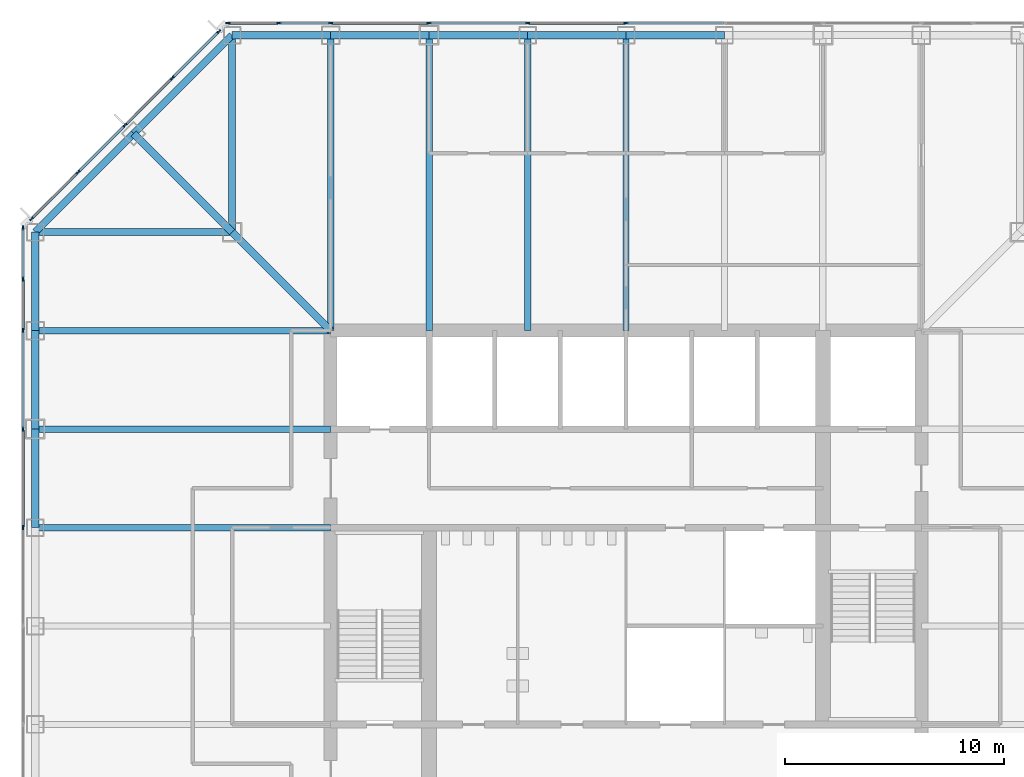
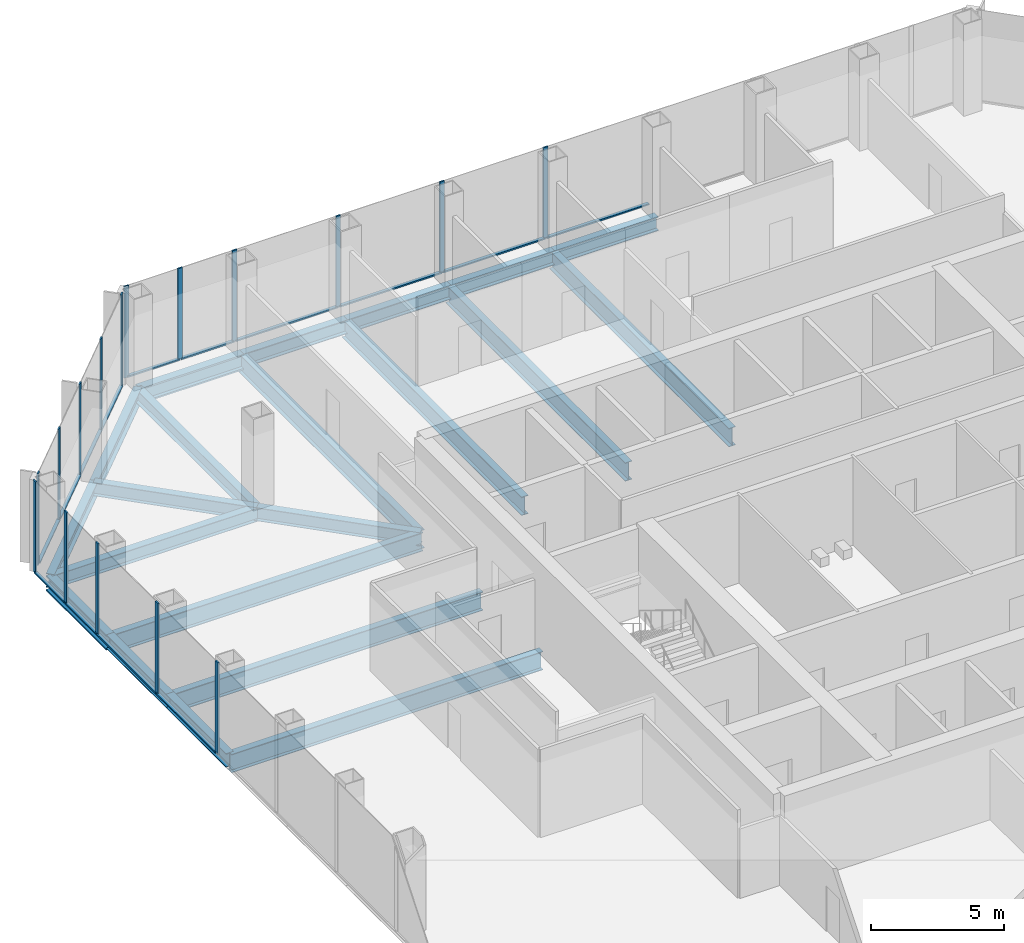
# One storey, part 5 of 13: 30 members, 21 beams, 3 elements without a shape of their own.
"""IFC4 building model written with IfcOpenShell, lengths in metres."""

from ifc_helpers import new_model, si_unit, direction, frame, origin, origin_2d, place, context, subcontext, project, spatial, rectangle, i_section, extrude, material, material_profile, profile_set, type_object, element, aggregate, save


model = new_model("IFC4")

# Units and contexts
model_context = context("Model", 3, precision=1e-05, world=origin(), true_north=direction((0.0, 1.0)))
body_context = subcontext(model_context, "Body", "Model", "MODEL_VIEW")
ifc_project = project(units=[si_unit("LENGTHUNIT", "METRE"), si_unit("AREAUNIT", "SQUARE_METRE"), si_unit("VOLUMEUNIT", "CUBIC_METRE"), si_unit("PLANEANGLEUNIT", "RADIAN"), si_unit("MASSUNIT", "GRAM", prefix="KILO")], contexts=[model_context])

# Site, building, storey
site_placement = place(None, origin())
site = spatial("IfcSite", under=ifc_project, at=site_placement, CompositionType="ELEMENT")
building_placement = place(site_placement, origin())
building = spatial("IfcBuilding", under=site, at=building_placement, Name="Corais Broadcast Tower", CompositionType="ELEMENT")
storey_placement = place(building_placement, frame((0.0, 0.0, 79.39990234375)))
storey = spatial("IfcBuildingStorey", under=building, at=storey_placement, Name="L17", CompositionType="ELEMENT", Elevation=79.39990234375)

# Beams
ifc_material_1 = material(Name="Steel ASTM A572 Grade 50", Category="steel")
ifc_material_profile_1 = material_profile(ifc_material_1, i_section(OverallWidth=0.323974609375, OverallDepth=0.611083984375, WebThickness=0.0126953125, FlangeThickness=0.01904296875, at=origin_2d()), Name="W610x155")
ifc_profile_set_1 = profile_set([ifc_material_profile_1], Name="Steel ASTM A572 Grade 50")
beam_type_1 = type_object("IfcBeamType", Name="Chamfer tie W610x155", PredefinedType="BEAM", material=ifc_profile_set_1)
beam_1_placement = place(storey_placement, frame((4.5, 49.5, -0.46533203125), z_axis=(0.707106781187, -0.707106781187, 0.0), x_axis=(0.707106781187, 0.707106781187, 0.0)))
element("IfcBeam", 1, at=beam_1_placement, inside=storey, type_object=beam_type_1, Name="B5 M/4 to L/5", PredefinedType="BEAM", context=body_context, shape_type="SweptSolid", body=[
    extrude(i_section(OverallWidth=0.323974609375, OverallDepth=0.611083984375, WebThickness=0.0126953125, FlangeThickness=0.01904296875, at=origin_2d()), origin(), (0.0, 0.0, 1.0), 6.364013671875),
])
ifc_material_2 = material(Name="Steel ASTM A572 Grade 50", Category="steel")
ifc_material_profile_2 = material_profile(ifc_material_2, i_section(OverallWidth=0.323974609375, OverallDepth=0.611083984375, WebThickness=0.0126953125, FlangeThickness=0.01904296875, at=origin_2d()), Name="W610x155")
ifc_profile_set_2 = profile_set([ifc_material_profile_2], Name="Steel ASTM A572 Grade 50")
beam_type_2 = type_object("IfcBeamType", Name="Corner diagonal W610x155", PredefinedType="BEAM", material=ifc_profile_set_2)
beam_2_placement = place(storey_placement, frame((9.0, 45.0, -0.46533203125), z_axis=(0.707106781187, -0.707106781187, 0.0), x_axis=(0.707106781187, 0.707106781187, 0.0)))
element("IfcBeam", 2, at=beam_2_placement, inside=storey, type_object=beam_type_2, Name="B6 L/5 to K/6", PredefinedType="BEAM", context=body_context, shape_type="SweptSolid", body=[
    extrude(i_section(OverallWidth=0.323974609375, OverallDepth=0.611083984375, WebThickness=0.0126953125, FlangeThickness=0.01904296875, at=origin_2d()), origin(), (0.0, 0.0, 1.0), 6.364013671875),
])
ifc_material_3 = material(Name="Steel ASTM A572 Grade 50", Category="steel")
ifc_material_profile_3 = material_profile(ifc_material_3, i_section(OverallWidth=0.323974609375, OverallDepth=0.611083984375, WebThickness=0.0126953125, FlangeThickness=0.01904296875, at=origin_2d()), Name="W610x155")
ifc_profile_set_3 = profile_set([ifc_material_profile_3], Name="Steel ASTM A572 Grade 50")
beam_type_3 = type_object("IfcBeamType", Name="Corner girder W610x155", PredefinedType="BEAM", material=ifc_profile_set_3)
for number, where, z_axis, x_axis, name in (
    (3, (0.0, 45.0, -0.46533203125), (1.0, 0.0, 0.0), (0.0, 1.0, 0.0), "B4 L/3 to L/5"),
    (4, (9.0, 54.0, -0.46533203125), (0.0, -1.0, 0.0), (1.0, 0.0, 0.0), "B4 N/5 to L/5"),
):
    element("IfcBeam", number, at=place(storey_placement, frame(where, z_axis=z_axis, x_axis=x_axis)), inside=storey, type_object=beam_type_3, Name=name, PredefinedType="BEAM", context=body_context, shape_type="SweptSolid", body=[
        extrude(i_section(OverallWidth=0.323974609375, OverallDepth=0.611083984375, WebThickness=0.0126953125, FlangeThickness=0.01904296875, at=origin_2d()), origin(), (0.0, 0.0, 1.0), 9.0),
    ])
ifc_material_4 = material(Name="Steel ASTM A913 Grade 65", Category="steel")
ifc_material_profile_4 = material_profile(ifc_material_4, i_section(OverallWidth=0.347900390625, OverallDepth=0.7109375, WebThickness=0.03857421875, FlangeThickness=0.069091796875, at=origin_2d()), Name="W610x551")
ifc_profile_set_4 = profile_set([ifc_material_profile_4], Name="Steel ASTM A913 Grade 65")
beam_type_4 = type_object("IfcBeamType", Name="Corner spandrel W610x551", PredefinedType="BEAM", material=ifc_profile_set_4)
for number, where, z_axis, x_axis, name in (
    (5, (0.0, 45.0, -0.515380859375), (0.0, -1.0, 0.0), (1.0, 0.0, 0.0), "SB11 L/3 to K/3"),
    (6, (13.5, 54.0, -0.515380859375), (-1.0, 0.0, 0.0), (0.0, -1.0, 0.0), "SB11 N/6 to N/5"),
):
    element("IfcBeam", number, at=place(storey_placement, frame(where, z_axis=z_axis, x_axis=x_axis)), inside=storey, type_object=beam_type_4, Name=name, PredefinedType="BEAM", context=body_context, shape_type="SweptSolid", body=[
        extrude(i_section(OverallWidth=0.347900390625, OverallDepth=0.7109375, WebThickness=0.03857421875, FlangeThickness=0.069091796875, at=origin_2d()), origin(), (0.0, 0.0, 1.0), 4.5),
    ])
ifc_material_5 = material(Name="Steel ASTM A572 Grade 50", Category="steel")
ifc_material_profile_5 = material_profile(ifc_material_5, i_section(OverallWidth=0.2939453125, OverallDepth=0.85107421875, WebThickness=0.01611328125, FlangeThickness=0.02685546875, at=origin_2d()), Name="W840x226")
ifc_profile_set_5 = profile_set([ifc_material_profile_5], Name="Steel ASTM A572 Grade 50")
beam_type_5 = type_object("IfcBeamType", Name="Floor beam W840x226", PredefinedType="BEAM", material=ifc_profile_set_5)
for number, where, z_axis, x_axis, name in (
    (7, (0.0, 31.5, -0.58544921875), (1.0, 0.0, 0.0), (0.0, 1.0, 0.0), "B1 H/3 to H/6"),
    (8, (0.0, 36.0, -0.58544921875), (1.0, 0.0, 0.0), (0.0, 1.0, 0.0), "B1 J/3 to J/6"),
    (9, (0.0, 40.5, -0.58544921875), (1.0, 0.0, 0.0), (0.0, 1.0, 0.0), "B1 K/3 to K/6"),
    (10, (13.5, 54.0, -0.58544921875), (0.0, -1.0, 0.0), (1.0, 0.0, 0.0), "B1 N/6 to K/6"),
    (11, (18.0, 54.0, -0.58544921875), (0.0, -1.0, 0.0), (1.0, 0.0, 0.0), "B1 N/7 to K/7"),
    (12, (22.5, 54.0, -0.58544921875), (0.0, -1.0, 0.0), (1.0, 0.0, 0.0), "B1 N/8 to K/8"),
    (13, (27.0, 54.0, -0.58544921875), (0.0, -1.0, 0.0), (1.0, 0.0, 0.0), "B1 N/9 to K/9"),
):
    element("IfcBeam", number, at=place(storey_placement, frame(where, z_axis=z_axis, x_axis=x_axis)), inside=storey, type_object=beam_type_5, Name=name, PredefinedType="BEAM", context=body_context, shape_type="SweptSolid", body=[
        extrude(i_section(OverallWidth=0.2939453125, OverallDepth=0.85107421875, WebThickness=0.01611328125, FlangeThickness=0.02685546875, at=origin_2d()), origin(), (0.0, 0.0, 1.0), 13.5),
    ])

# Curtain wall, members
ifc_material_6 = material(Name="Aluminium and glass", Category="aluminium")
curtain_wall_type = type_object("IfcCurtainWallType", Name="Unitised fritted curtain wall CW1", PredefinedType="NOTDEFINED", material=ifc_material_6)
curtain_wall_1_placement = place(storey_placement, origin())
curtain_wall_1 = element("IfcCurtainWall", 14, at=curtain_wall_1_placement, inside=storey, type_object=curtain_wall_type, Name="CW1 curtain wall L17 2", PredefinedType="NOTDEFINED")
ifc_material_7 = material(Name="Aluminium 6063-T6", Category="aluminium")
ifc_material_profile_6 = material_profile(ifc_material_7, rectangle(XDim=0.06494140625, YDim=0.199951171875, at=origin_2d()), Name="Mullion CW1 65x200")
ifc_profile_set_6 = profile_set([ifc_material_profile_6], Name="Aluminium 6063-T6")
member_type_1 = type_object("IfcMemberType", Name="Mullion CW1 65x200", PredefinedType="MULLION", material=ifc_profile_set_6)
member_1_placement = place(storey_placement, frame((-0.550048828125, 31.5, 0.0), z_axis=(0.0, 0.0, 1.0), x_axis=(-1.0, 0.0, 0.0)))
member_1 = element("IfcMember", 15, at=member_1_placement, type_object=member_type_1, Name="CW1 mullion 7", PredefinedType="MULLION", context=body_context, shape_type="SweptSolid", body=[
    extrude(rectangle(XDim=0.06494140625, YDim=0.199951171875, at=origin_2d()), origin(), (0.0, 0.0, 1.0), 4.2001953125),
])
member_2_placement = place(storey_placement, frame((-0.550048828125, 36.0, 0.0), z_axis=(0.0, 0.0, 1.0), x_axis=(-1.0, 0.0, 0.0)))
member_2 = element("IfcMember", 16, at=member_2_placement, type_object=member_type_1, Name="CW1 mullion 8", PredefinedType="MULLION", context=body_context, shape_type="SweptSolid", body=[
    extrude(rectangle(XDim=0.06494140625, YDim=0.199951171875, at=origin_2d()), origin(), (0.0, 0.0, 1.0), 4.2001953125),
])
member_3_placement = place(storey_placement, frame((-0.550048828125, 40.5, 0.0), z_axis=(0.0, 0.0, 1.0), x_axis=(-1.0, 0.0, 0.0)))
member_3 = element("IfcMember", 17, at=member_3_placement, type_object=member_type_1, Name="CW1 mullion 9", PredefinedType="MULLION", context=body_context, shape_type="SweptSolid", body=[
    extrude(rectangle(XDim=0.06494140625, YDim=0.199951171875, at=origin_2d()), origin(), (0.0, 0.0, 1.0), 4.2001953125),
])
member_4_placement = place(storey_placement, frame((-0.550048828125, 42.864013671875, 0.0), z_axis=(0.0, 0.0, 1.0), x_axis=(-1.0, 0.0, 0.0)))
member_4 = element("IfcMember", 18, at=member_4_placement, type_object=member_type_1, Name="CW1 mullion 10", PredefinedType="MULLION", context=body_context, shape_type="SweptSolid", body=[
    extrude(rectangle(XDim=0.06494140625, YDim=0.199951171875, at=origin_2d()), origin(), (0.0, 0.0, 1.0), 4.2001953125),
])
member_5_placement = place(storey_placement, frame((-0.550048828125, 45.1953125, 0.0), z_axis=(0.0, 0.0, 1.0), x_axis=(-1.0, 0.0, 0.0)))
member_5 = element("IfcMember", 19, at=member_5_placement, type_object=member_type_1, Name="CW1 mullion 11", PredefinedType="MULLION", context=body_context, shape_type="SweptSolid", body=[
    extrude(rectangle(XDim=0.06494140625, YDim=0.199951171875, at=origin_2d()), origin(), (0.0, 0.0, 1.0), 4.2001953125),
])

curtain_wall_2_placement = place(storey_placement, origin())
curtain_wall_2 = element("IfcCurtainWall", 20, at=curtain_wall_2_placement, inside=storey, type_object=curtain_wall_type, Name="CW1 curtain wall L17 3", PredefinedType="NOTDEFINED")
member_6_placement = place(storey_placement, frame((-0.17333984375, 45.6044921875, 0.0), z_axis=(0.0, 0.0, 1.0), x_axis=(-0.707106781187, 0.707106781187, 0.0)))
member_6 = element("IfcMember", 21, at=member_6_placement, type_object=member_type_1, Name="CW1 mullion 1", PredefinedType="MULLION", context=body_context, shape_type="SweptSolid", body=[
    extrude(rectangle(XDim=0.06494140625, YDim=0.199951171875, at=origin_2d()), origin(), (0.0, 0.0, 1.0), 4.2001953125),
])
member_7_placement = place(storey_placement, frame((1.957275390625, 47.735107421875, 0.0), z_axis=(0.0, 0.0, 1.0), x_axis=(-0.707106781187, 0.707106781187, 0.0)))
member_7 = element("IfcMember", 22, at=member_7_placement, type_object=member_type_1, Name="CW1 mullion 2", PredefinedType="MULLION", context=body_context, shape_type="SweptSolid", body=[
    extrude(rectangle(XDim=0.06494140625, YDim=0.199951171875, at=origin_2d()), origin(), (0.0, 0.0, 1.0), 4.2001953125),
])
member_8_placement = place(storey_placement, frame((4.111083984375, 49.888916015625, 0.0), z_axis=(0.0, 0.0, 1.0), x_axis=(-0.707106781187, 0.707106781187, 0.0)))
member_8 = element("IfcMember", 23, at=member_8_placement, type_object=member_type_1, Name="CW1 mullion 3", PredefinedType="MULLION", context=body_context, shape_type="SweptSolid", body=[
    extrude(rectangle(XDim=0.06494140625, YDim=0.199951171875, at=origin_2d()), origin(), (0.0, 0.0, 1.0), 4.2001953125),
])
member_9_placement = place(storey_placement, frame((6.264892578125, 52.042724609375, 0.0), z_axis=(0.0, 0.0, 1.0), x_axis=(-0.707106781187, 0.707106781187, 0.0)))
member_9 = element("IfcMember", 24, at=member_9_placement, type_object=member_type_1, Name="CW1 mullion 4", PredefinedType="MULLION", context=body_context, shape_type="SweptSolid", body=[
    extrude(rectangle(XDim=0.06494140625, YDim=0.199951171875, at=origin_2d()), origin(), (0.0, 0.0, 1.0), 4.2001953125),
])
member_10_placement = place(storey_placement, frame((8.3955078125, 54.17333984375, 0.0), z_axis=(0.0, 0.0, 1.0), x_axis=(-0.707106781187, 0.707106781187, 0.0)))
member_10 = element("IfcMember", 25, at=member_10_placement, type_object=member_type_1, Name="CW1 mullion 5", PredefinedType="MULLION", context=body_context, shape_type="SweptSolid", body=[
    extrude(rectangle(XDim=0.06494140625, YDim=0.199951171875, at=origin_2d()), origin(), (0.0, 0.0, 1.0), 4.2001953125),
])

curtain_wall_3_placement = place(storey_placement, origin())
curtain_wall_3 = element("IfcCurtainWall", 26, at=curtain_wall_3_placement, inside=storey, type_object=curtain_wall_type, Name="CW1 curtain wall L17 4", PredefinedType="NOTDEFINED")
member_11_placement = place(storey_placement, frame((8.8046875, 54.550048828125, 0.0), z_axis=(0.0, 0.0, 1.0), x_axis=(0.0, 1.0, 0.0)))
member_11 = element("IfcMember", 27, at=member_11_placement, type_object=member_type_1, Name="CW1 mullion 1", PredefinedType="MULLION", context=body_context, shape_type="SweptSolid", body=[
    extrude(rectangle(XDim=0.06494140625, YDim=0.199951171875, at=origin_2d()), origin(), (0.0, 0.0, 1.0), 4.2001953125),
])
member_12_placement = place(storey_placement, frame((11.135986328125, 54.550048828125, 0.0), z_axis=(0.0, 0.0, 1.0), x_axis=(0.0, 1.0, 0.0)))
member_12 = element("IfcMember", 28, at=member_12_placement, type_object=member_type_1, Name="CW1 mullion 2", PredefinedType="MULLION", context=body_context, shape_type="SweptSolid", body=[
    extrude(rectangle(XDim=0.06494140625, YDim=0.199951171875, at=origin_2d()), origin(), (0.0, 0.0, 1.0), 4.2001953125),
])
member_13_placement = place(storey_placement, frame((13.5, 54.550048828125, 0.0), z_axis=(0.0, 0.0, 1.0), x_axis=(0.0, 1.0, 0.0)))
member_13 = element("IfcMember", 29, at=member_13_placement, type_object=member_type_1, Name="CW1 mullion 3", PredefinedType="MULLION", context=body_context, shape_type="SweptSolid", body=[
    extrude(rectangle(XDim=0.06494140625, YDim=0.199951171875, at=origin_2d()), origin(), (0.0, 0.0, 1.0), 4.2001953125),
])
member_14_placement = place(storey_placement, frame((18.0, 54.550048828125, 0.0), z_axis=(0.0, 0.0, 1.0), x_axis=(0.0, 1.0, 0.0)))
member_14 = element("IfcMember", 30, at=member_14_placement, type_object=member_type_1, Name="CW1 mullion 4", PredefinedType="MULLION", context=body_context, shape_type="SweptSolid", body=[
    extrude(rectangle(XDim=0.06494140625, YDim=0.199951171875, at=origin_2d()), origin(), (0.0, 0.0, 1.0), 4.2001953125),
])
member_15_placement = place(storey_placement, frame((22.5, 54.550048828125, 0.0), z_axis=(0.0, 0.0, 1.0), x_axis=(0.0, 1.0, 0.0)))
member_15 = element("IfcMember", 31, at=member_15_placement, type_object=member_type_1, Name="CW1 mullion 5", PredefinedType="MULLION", context=body_context, shape_type="SweptSolid", body=[
    extrude(rectangle(XDim=0.06494140625, YDim=0.199951171875, at=origin_2d()), origin(), (0.0, 0.0, 1.0), 4.2001953125),
])
member_16_placement = place(storey_placement, frame((27.0, 54.550048828125, 0.0), z_axis=(0.0, 0.0, 1.0), x_axis=(0.0, 1.0, 0.0)))
member_16 = element("IfcMember", 32, at=member_16_placement, type_object=member_type_1, Name="CW1 mullion 6", PredefinedType="MULLION", context=body_context, shape_type="SweptSolid", body=[
    extrude(rectangle(XDim=0.06494140625, YDim=0.199951171875, at=origin_2d()), origin(), (0.0, 0.0, 1.0), 4.2001953125),
])

# Beams
ifc_material_8 = material(Name="Steel ASTM A572 Grade 50", Category="steel")
ifc_material_profile_7 = material_profile(ifc_material_8, i_section(OverallWidth=0.3291015625, OverallDepth=0.635009765625, WebThickness=0.017822265625, FlangeThickness=0.031005859375, at=origin_2d()), Name="W610x241")
ifc_profile_set_7 = profile_set([ifc_material_profile_7], Name="Steel ASTM A572 Grade 50")
beam_type_6 = type_object("IfcBeamType", Name="Spandrel W610x241", PredefinedType="BEAM", material=ifc_profile_set_7)
for number, where, z_axis, x_axis, name in (
    (33, (0.0, 36.0, -0.477294921875), (0.0, -1.0, 0.0), (1.0, 0.0, 0.0), "SB1 J/3 to H/3"),
    (34, (0.0, 40.5, -0.477294921875), (0.0, -1.0, 0.0), (1.0, 0.0, 0.0), "SB1 K/3 to J/3"),
    (35, (18.0, 54.0, -0.477294921875), (-1.0, 0.0, 0.0), (0.0, -1.0, 0.0), "SB1 N/7 to N/6"),
    (36, (22.5, 54.0, -0.477294921875), (-1.0, 0.0, 0.0), (0.0, -1.0, 0.0), "SB1 N/8 to N/7"),
    (37, (27.0, 54.0, -0.477294921875), (-1.0, 0.0, 0.0), (0.0, -1.0, 0.0), "SB1 N/9 to N/8"),
    (38, (31.5, 54.0, -0.477294921875), (-1.0, 0.0, 0.0), (0.0, -1.0, 0.0), "SB1 N/10 to N/9"),
):
    element("IfcBeam", number, at=place(storey_placement, frame(where, z_axis=z_axis, x_axis=x_axis)), inside=storey, type_object=beam_type_6, Name=name, PredefinedType="BEAM", context=body_context, shape_type="SweptSolid", body=[
        extrude(i_section(OverallWidth=0.3291015625, OverallDepth=0.635009765625, WebThickness=0.017822265625, FlangeThickness=0.031005859375, at=origin_2d()), origin(), (0.0, 0.0, 1.0), 4.5),
    ])
for number, where, z_axis, x_axis, name in (
    (39, (4.5, 49.5, -0.477294921875), (-0.707106781187, -0.707106781187, 0.0), (0.707106781187, -0.707106781187, 0.0), "SB1 M/4 to L/3"),
    (40, (9.0, 54.0, -0.477294921875), (-0.707106781187, -0.707106781187, 0.0), (0.707106781187, -0.707106781187, 0.0), "SB1 N/5 to M/4"),
):
    element("IfcBeam", number, at=place(storey_placement, frame(where, z_axis=z_axis, x_axis=x_axis)), inside=storey, type_object=beam_type_6, Name=name, PredefinedType="BEAM", context=body_context, shape_type="SweptSolid", body=[
        extrude(i_section(OverallWidth=0.3291015625, OverallDepth=0.635009765625, WebThickness=0.017822265625, FlangeThickness=0.031005859375, at=origin_2d()), origin(), (0.0, 0.0, 1.0), 6.364013671875),
    ])

# Member
ifc_material_9 = material(Name="Aluminium 6063-T6", Category="aluminium")
ifc_material_profile_8 = material_profile(ifc_material_9, rectangle(XDim=0.139892578125, YDim=0.06494140625, at=origin_2d()), Name="Transom CW1 65x140")
ifc_profile_set_8 = profile_set([ifc_material_profile_8], Name="Aluminium 6063-T6")
member_type_2 = type_object("IfcMemberType", Name="Transom CW1 65x140", PredefinedType="USERDEFINED", material=ifc_profile_set_8)
member_17_placement = place(storey_placement, frame((-0.550048828125, 31.532470703125, 0.03271484375), z_axis=(0.0, 1.0, 0.0), x_axis=(-1.0, 0.0, 0.0)))
member_17 = element("IfcMember", 41, at=member_17_placement, type_object=member_type_2, Name="CW1 transom 7.1", ObjectType="TRANSOM", PredefinedType="USERDEFINED", context=body_context, shape_type="SweptSolid", body=[
    extrude(rectangle(XDim=0.139892578125, YDim=0.06494140625, at=origin_2d()), origin(), (0.0, 0.0, 1.0), 4.43505859375),
])

member_18_placement = place(storey_placement, frame((-0.550048828125, 36.032470703125, 0.03271484375), z_axis=(0.0, 1.0, 0.0), x_axis=(-1.0, 0.0, 0.0)))
member_18 = element("IfcMember", 42, at=member_18_placement, type_object=member_type_2, Name="CW1 transom 8.1", ObjectType="TRANSOM", PredefinedType="USERDEFINED", context=body_context, shape_type="SweptSolid", body=[
    extrude(rectangle(XDim=0.139892578125, YDim=0.06494140625, at=origin_2d()), origin(), (0.0, 0.0, 1.0), 4.43505859375),
])

member_19_placement = place(storey_placement, frame((-0.550048828125, 40.532470703125, 0.03271484375), z_axis=(0.0, 1.0, 0.0), x_axis=(-1.0, 0.0, 0.0)))
member_19 = element("IfcMember", 43, at=member_19_placement, type_object=member_type_2, Name="CW1 transom 9.1", ObjectType="TRANSOM", PredefinedType="USERDEFINED", context=body_context, shape_type="SweptSolid", body=[
    extrude(rectangle(XDim=0.139892578125, YDim=0.06494140625, at=origin_2d()), origin(), (0.0, 0.0, 1.0), 2.298828125),
])

member_20_placement = place(storey_placement, frame((-0.550048828125, 42.896484375, 0.03271484375), z_axis=(0.0, 1.0, 0.0), x_axis=(-1.0, 0.0, 0.0)))
member_20 = element("IfcMember", 44, at=member_20_placement, type_object=member_type_2, Name="CW1 transom 10.1", ObjectType="TRANSOM", PredefinedType="USERDEFINED", context=body_context, shape_type="SweptSolid", body=[
    extrude(rectangle(XDim=0.139892578125, YDim=0.06494140625, at=origin_2d()), origin(), (0.0, 0.0, 1.0), 2.266357421875),
])

aggregate(curtain_wall_1, [member_1, member_2, member_3, member_4, member_5, member_17, member_18, member_19, member_20])

member_21_placement = place(storey_placement, frame((-0.150390625, 45.62744140625, 0.03271484375), z_axis=(0.707106781187, 0.707106781187, 0.0), x_axis=(-0.707106781187, 0.707106781187, 0.0)))
member_21 = element("IfcMember", 45, at=member_21_placement, type_object=member_type_2, Name="CW1 transom 1.1", ObjectType="TRANSOM", PredefinedType="USERDEFINED", context=body_context, shape_type="SweptSolid", body=[
    extrude(rectangle(XDim=0.139892578125, YDim=0.06494140625, at=origin_2d()), origin(), (0.0, 0.0, 1.0), 2.9482421875),
])

member_22_placement = place(storey_placement, frame((1.980224609375, 47.758056640625, 0.03271484375), z_axis=(0.707106781187, 0.707106781187, 0.0), x_axis=(-0.707106781187, 0.707106781187, 0.0)))
member_22 = element("IfcMember", 46, at=member_22_placement, type_object=member_type_2, Name="CW1 transom 2.1", ObjectType="TRANSOM", PredefinedType="USERDEFINED", context=body_context, shape_type="SweptSolid", body=[
    extrude(rectangle(XDim=0.139892578125, YDim=0.06494140625, at=origin_2d()), origin(), (0.0, 0.0, 1.0), 2.98095703125),
])

member_23_placement = place(storey_placement, frame((4.134033203125, 49.911865234375, 0.03271484375), z_axis=(0.707106781187, 0.707106781187, 0.0), x_axis=(-0.707106781187, 0.707106781187, 0.0)))
member_23 = element("IfcMember", 47, at=member_23_placement, type_object=member_type_2, Name="CW1 transom 3.1", ObjectType="TRANSOM", PredefinedType="USERDEFINED", context=body_context, shape_type="SweptSolid", body=[
    extrude(rectangle(XDim=0.139892578125, YDim=0.06494140625, at=origin_2d()), origin(), (0.0, 0.0, 1.0), 2.98095703125),
])

member_24_placement = place(storey_placement, frame((6.287841796875, 52.065673828125, 0.03271484375), z_axis=(0.707106781187, 0.707106781187, 0.0), x_axis=(-0.707106781187, 0.707106781187, 0.0)))
member_24 = element("IfcMember", 48, at=member_24_placement, type_object=member_type_2, Name="CW1 transom 4.1", ObjectType="TRANSOM", PredefinedType="USERDEFINED", context=body_context, shape_type="SweptSolid", body=[
    extrude(rectangle(XDim=0.139892578125, YDim=0.06494140625, at=origin_2d()), origin(), (0.0, 0.0, 1.0), 2.9482421875),
])

aggregate(curtain_wall_2, [member_6, member_7, member_8, member_9, member_10, member_21, member_22, member_23, member_24])

member_25_placement = place(storey_placement, frame((8.837158203125, 54.550048828125, 0.03271484375), z_axis=(1.0, 0.0, 0.0), x_axis=(0.0, 1.0, 0.0)))
member_25 = element("IfcMember", 49, at=member_25_placement, type_object=member_type_2, Name="CW1 transom 1.1", ObjectType="TRANSOM", PredefinedType="USERDEFINED", context=body_context, shape_type="SweptSolid", body=[
    extrude(rectangle(XDim=0.139892578125, YDim=0.06494140625, at=origin_2d()), origin(), (0.0, 0.0, 1.0), 2.266357421875),
])

member_26_placement = place(storey_placement, frame((11.168701171875, 54.550048828125, 0.03271484375), z_axis=(1.0, 0.0, 0.0), x_axis=(0.0, 1.0, 0.0)))
member_26 = element("IfcMember", 50, at=member_26_placement, type_object=member_type_2, Name="CW1 transom 2.1", ObjectType="TRANSOM", PredefinedType="USERDEFINED", context=body_context, shape_type="SweptSolid", body=[
    extrude(rectangle(XDim=0.139892578125, YDim=0.06494140625, at=origin_2d()), origin(), (0.0, 0.0, 1.0), 2.298828125),
])

member_27_placement = place(storey_placement, frame((13.532470703125, 54.550048828125, 0.03271484375), z_axis=(1.0, 0.0, 0.0), x_axis=(0.0, 1.0, 0.0)))
member_27 = element("IfcMember", 51, at=member_27_placement, type_object=member_type_2, Name="CW1 transom 3.1", ObjectType="TRANSOM", PredefinedType="USERDEFINED", context=body_context, shape_type="SweptSolid", body=[
    extrude(rectangle(XDim=0.139892578125, YDim=0.06494140625, at=origin_2d()), origin(), (0.0, 0.0, 1.0), 4.43505859375),
])

member_28_placement = place(storey_placement, frame((18.032470703125, 54.550048828125, 0.03271484375), z_axis=(1.0, 0.0, 0.0), x_axis=(0.0, 1.0, 0.0)))
member_28 = element("IfcMember", 52, at=member_28_placement, type_object=member_type_2, Name="CW1 transom 4.1", ObjectType="TRANSOM", PredefinedType="USERDEFINED", context=body_context, shape_type="SweptSolid", body=[
    extrude(rectangle(XDim=0.139892578125, YDim=0.06494140625, at=origin_2d()), origin(), (0.0, 0.0, 1.0), 4.43505859375),
])

member_29_placement = place(storey_placement, frame((22.532470703125, 54.550048828125, 0.03271484375), z_axis=(1.0, 0.0, 0.0), x_axis=(0.0, 1.0, 0.0)))
member_29 = element("IfcMember", 53, at=member_29_placement, type_object=member_type_2, Name="CW1 transom 5.1", ObjectType="TRANSOM", PredefinedType="USERDEFINED", context=body_context, shape_type="SweptSolid", body=[
    extrude(rectangle(XDim=0.139892578125, YDim=0.06494140625, at=origin_2d()), origin(), (0.0, 0.0, 1.0), 4.43505859375),
])

member_30_placement = place(storey_placement, frame((27.032470703125, 54.550048828125, 0.03271484375), z_axis=(1.0, 0.0, 0.0), x_axis=(0.0, 1.0, 0.0)))
member_30 = element("IfcMember", 54, at=member_30_placement, type_object=member_type_2, Name="CW1 transom 6.1", ObjectType="TRANSOM", PredefinedType="USERDEFINED", context=body_context, shape_type="SweptSolid", body=[
    extrude(rectangle(XDim=0.139892578125, YDim=0.06494140625, at=origin_2d()), origin(), (0.0, 0.0, 1.0), 4.43505859375),
])

aggregate(curtain_wall_3, [member_11, member_12, member_13, member_14, member_15, member_16, member_25, member_26, member_27, member_28, member_29, member_30])

save(model, "model.ifc")
